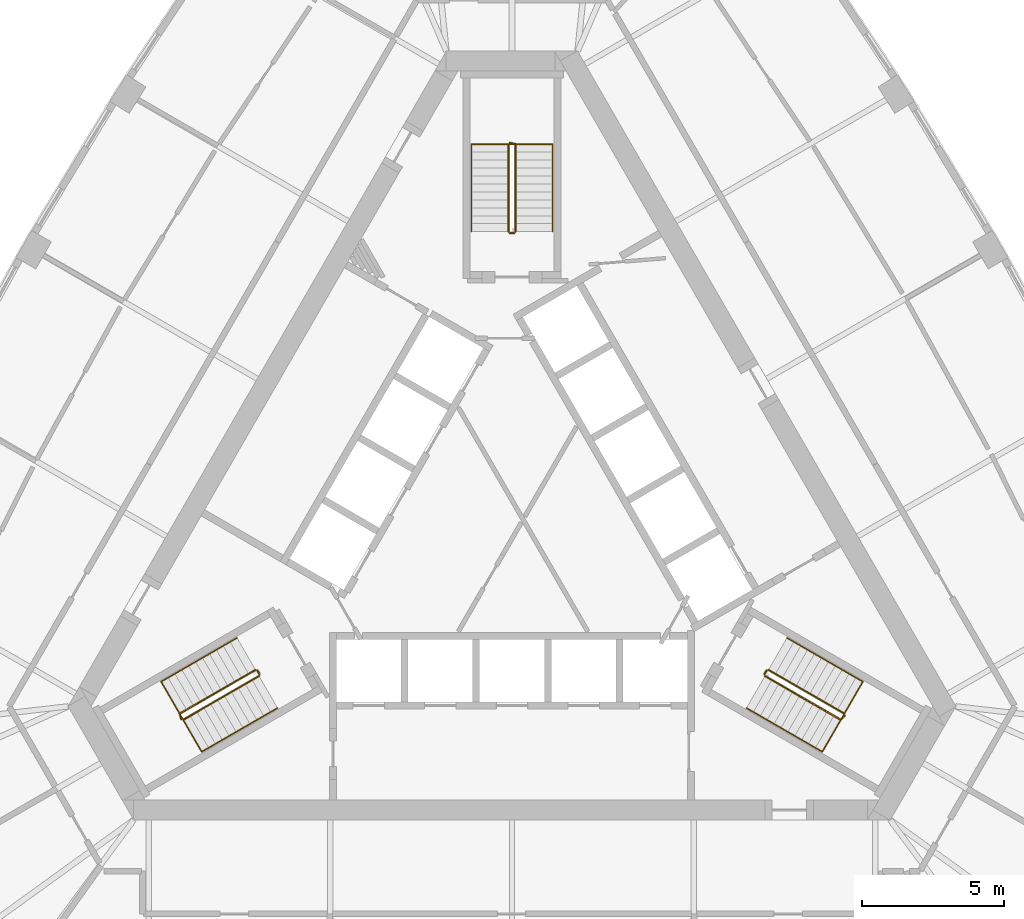
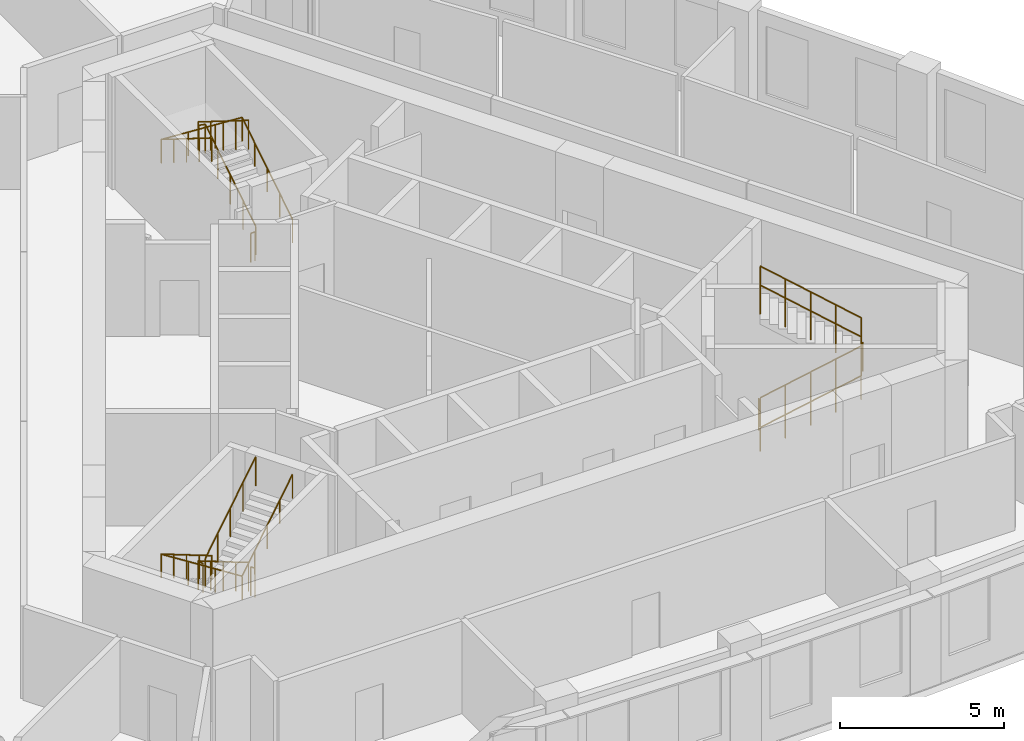
# One storey, part 11 of 11: 12 railings.
"""IFC4 building model written with IfcOpenShell, lengths in metres."""

from ifc_helpers import new_model, si_unit, direction, frame, origin, origin_2d, place, context, subcontext, project, spatial, circle, extrude, material, type_object, element, save


model = new_model("IFC4")

# Units and contexts
model_context = context("Model", 3, precision=1e-05, world=origin(), true_north=direction((0.0, 1.0)))
body_context = subcontext(model_context, "Body", "Model", "MODEL_VIEW")
ifc_project = project(units=[si_unit("LENGTHUNIT", "METRE"), si_unit("AREAUNIT", "SQUARE_METRE"), si_unit("VOLUMEUNIT", "CUBIC_METRE"), si_unit("PLANEANGLEUNIT", "RADIAN"), si_unit("MASSUNIT", "GRAM", prefix="KILO")], contexts=[model_context])

# Site, building, storey
site_placement = place(None, origin())
site = spatial("IfcSite", under=ifc_project, at=site_placement, CompositionType="ELEMENT")
building_placement = place(site_placement, origin())
building = spatial("IfcBuilding", under=site, at=building_placement, Name="Mestral Congress Tower", CompositionType="ELEMENT")
storey_placement = place(building_placement, frame((0.0, 0.0, 201.60009765625)))
storey = spatial("IfcBuildingStorey", under=building, at=storey_placement, Name="L47", CompositionType="ELEMENT", Elevation=201.60009765625)

# Railings
ifc_material_1 = material(Name="Steel balustrade", Category="steel")
railing_type_1 = type_object("IfcRailingType", Name="Stair guard 1100", PredefinedType="GUARDRAIL", material=ifc_material_1)
railing_1_placement = place(storey_placement, frame((8.90087890625, -5.283203125, 0.1748046875)))
element("IfcRailing", 1, at=railing_1_placement, inside=storey, type_object=railing_type_1, Name="L47 ST1 stair guard 1", PredefinedType="GUARDRAIL", context=body_context, shape_type="SweptSolid", body=[
    extrude(circle(Radius=0.02392578125, at=origin_2d()), frame((0.0, 0.0, 1.076171875), z_axis=(0.734364028329, -0.424015404183, 0.530019255228), x_axis=(0.500026652407, 0.866010015463, 0.0)), (0.0, 0.0, 1.0), 3.632080078125),
    extrude(circle(Radius=0.02392578125, at=origin_2d()), frame((2.667236328125, -1.5400390625, 3.0009765625), z_axis=(0.695164929852, 0.718850276695, 0.0), x_axis=(-0.718850276695, 0.695164929852, 0.0)), (0.0, 0.0, 1.0), 0.2060546875),
    extrude(circle(Radius=0.02099609375, at=origin_2d()), origin(), (0.0, 0.0, 1.0), 1.052001953125),
    extrude(circle(Radius=0.02099609375, at=origin_2d()), frame((0.666748046875, -0.385009765625, 0.481201171875)), (0.0, 0.0, 1.0), 1.052001953125),
    extrude(circle(Radius=0.02099609375, at=origin_2d()), frame((1.33349609375, -0.77001953125, 0.96240234375)), (0.0, 0.0, 1.0), 1.052001953125),
    extrude(circle(Radius=0.02099609375, at=origin_2d()), frame((2.00048828125, -1.155029296875, 1.44384765625)), (0.0, 0.0, 1.0), 1.052001953125),
    extrude(circle(Radius=0.02099609375, at=origin_2d()), frame((2.667236328125, -1.5400390625, 1.925048828125)), (0.0, 0.0, 1.0), 1.052001953125),
    extrude(circle(Radius=0.02099609375, at=origin_2d()), frame((2.810546875, -1.391845703125, 1.925048828125)), (0.0, 0.0, 1.0), 1.052001953125),
])
railing_2_placement = place(storey_placement, frame((11.693115234375, -6.606689453125, 2.27490234375)))
element("IfcRailing", 2, at=railing_2_placement, inside=storey, type_object=railing_type_1, Name="L47 ST1 stair guard 2", PredefinedType="GUARDRAIL", context=body_context, shape_type="SweptSolid", body=[
    extrude(circle(Radius=0.02392578125, at=origin_2d()), frame((0.0, 0.0, 1.076171875), z_axis=(-0.734364028329, 0.424015404183, 0.530019255228), x_axis=(-0.500026652407, -0.866010015463, 0.0)), (0.0, 0.0, 1.0), 3.632080078125),
    extrude(circle(Radius=0.02099609375, at=origin_2d()), origin(), (0.0, 0.0, 1.0), 1.052001953125),
    extrude(circle(Radius=0.02099609375, at=origin_2d()), frame((-0.666748046875, 0.385009765625, 0.481201171875)), (0.0, 0.0, 1.0), 1.052001953125),
    extrude(circle(Radius=0.02099609375, at=origin_2d()), frame((-1.33349609375, 0.77001953125, 0.96240234375)), (0.0, 0.0, 1.0), 1.052001953125),
    extrude(circle(Radius=0.02099609375, at=origin_2d()), frame((-2.00048828125, 1.155029296875, 1.44384765625)), (0.0, 0.0, 1.0), 1.052001953125),
    extrude(circle(Radius=0.02099609375, at=origin_2d()), frame((-2.667236328125, 1.5400390625, 1.925048828125)), (0.0, 0.0, 1.0), 1.052001953125),
])
railing_3_placement = place(storey_placement, frame((8.882568359375, -5.21484375, 0.0)))
element("IfcRailing", 3, at=railing_3_placement, inside=storey, type_object=railing_type_1, Name="L47 ST1 stair guard 3", PredefinedType="GUARDRAIL", context=body_context, shape_type="SweptSolid", body=[
    extrude(circle(Radius=0.02392578125, at=origin_2d()), frame((0.0, 0.0, 1.076171875), z_axis=(0.499816412211, 0.866131372301, 0.0), x_axis=(-0.866131372301, 0.499816412211, 0.0)), (0.0, 0.0, 1.0), 0.14990234375),
    extrude(circle(Radius=0.02099609375, at=origin_2d()), origin(), (0.0, 0.0, 1.0), 1.052001953125),
    extrude(circle(Radius=0.02099609375, at=origin_2d()), frame((0.074951171875, 0.1298828125, 0.0)), (0.0, 0.0, 1.0), 1.052001953125),
])
railing_4_placement = place(storey_placement, frame((0.125, 10.35009765625, 0.1748046875)))
element("IfcRailing", 4, at=railing_4_placement, inside=storey, type_object=railing_type_1, Name="L47 ST2 stair guard 1", PredefinedType="GUARDRAIL", context=body_context, shape_type="SweptSolid", body=[
    extrude(circle(Radius=0.02392578125, at=origin_2d()), frame((0.0, 0.0, 1.076171875), z_axis=(0.0, 0.847979421464, 0.530029150871), x_axis=(-1.0, 0.0, 0.0)), (0.0, 0.0, 1.0), 3.632080078125),
    extrude(circle(Radius=0.02392578125, at=origin_2d()), frame((0.0, 3.079833984375, 3.0009765625), z_axis=(-0.970072785993, 0.242814311512, 0.0), x_axis=(-0.242814311512, -0.970072785993, 0.0)), (0.0, 0.0, 1.0), 0.2060546875),
    extrude(circle(Radius=0.02099609375, at=origin_2d()), origin(), (0.0, 0.0, 1.0), 1.052001953125),
    extrude(circle(Radius=0.02099609375, at=origin_2d()), frame((0.0, 0.77001953125, 0.481201171875)), (0.0, 0.0, 1.0), 1.052001953125),
    extrude(circle(Radius=0.02099609375, at=origin_2d()), frame((0.0, 1.5400390625, 0.96240234375)), (0.0, 0.0, 1.0), 1.052001953125),
    extrude(circle(Radius=0.02099609375, at=origin_2d()), frame((0.0, 2.309814453125, 1.44384765625)), (0.0, 0.0, 1.0), 1.052001953125),
    extrude(circle(Radius=0.02099609375, at=origin_2d()), frame((0.0, 3.079833984375, 1.925048828125)), (0.0, 0.0, 1.0), 1.052001953125),
    extrude(circle(Radius=0.02099609375, at=origin_2d()), frame((-0.199951171875, 3.1298828125, 1.925048828125)), (0.0, 0.0, 1.0), 1.052001953125),
])
railing_5_placement = place(storey_placement, frame((-0.125, 13.429931640625, 2.27490234375)))
element("IfcRailing", 5, at=railing_5_placement, inside=storey, type_object=railing_type_1, Name="L47 ST2 stair guard 2", PredefinedType="GUARDRAIL", context=body_context, shape_type="SweptSolid", body=[
    extrude(circle(Radius=0.02392578125, at=origin_2d()), frame((0.0, 0.0, 1.076171875), z_axis=(0.0, -0.847979421464, 0.530029150871), x_axis=(1.0, 0.0, 0.0)), (0.0, 0.0, 1.0), 3.632080078125),
    extrude(circle(Radius=0.02099609375, at=origin_2d()), origin(), (0.0, 0.0, 1.0), 1.052001953125),
    extrude(circle(Radius=0.02099609375, at=origin_2d()), frame((0.0, -0.77001953125, 0.481201171875)), (0.0, 0.0, 1.0), 1.052001953125),
    extrude(circle(Radius=0.02099609375, at=origin_2d()), frame((0.0, -1.5400390625, 0.96240234375)), (0.0, 0.0, 1.0), 1.052001953125),
    extrude(circle(Radius=0.02099609375, at=origin_2d()), frame((0.0, -2.309814453125, 1.44384765625)), (0.0, 0.0, 1.0), 1.052001953125),
    extrude(circle(Radius=0.02099609375, at=origin_2d()), frame((0.0, -3.079833984375, 1.925048828125)), (0.0, 0.0, 1.0), 1.052001953125),
])
railing_6_placement = place(storey_placement, frame((0.074951171875, 10.300048828125, 0.0)))
element("IfcRailing", 6, at=railing_6_placement, inside=storey, type_object=railing_type_1, Name="L47 ST2 stair guard 3", PredefinedType="GUARDRAIL", context=body_context, shape_type="SweptSolid", body=[
    extrude(circle(Radius=0.02392578125, at=origin_2d()), frame((0.0, 0.0, 1.076171875), z_axis=(-1.0, 0.0, 0.0), x_axis=(0.0, -1.0, 0.0)), (0.0, 0.0, 1.0), 0.14990234375),
    extrude(circle(Radius=0.02099609375, at=origin_2d()), origin(), (0.0, 0.0, 1.0), 1.052001953125),
    extrude(circle(Radius=0.02099609375, at=origin_2d()), frame((-0.14990234375, 0.0, 0.0)), (0.0, 0.0, 1.0), 1.052001953125),
])
railing_7_placement = place(storey_placement, frame((-9.02587890625, -5.066650390625, 0.1748046875)))
element("IfcRailing", 7, at=railing_7_placement, inside=storey, type_object=railing_type_1, Name="L47 ST3 stair guard 1", PredefinedType="GUARDRAIL", context=body_context, shape_type="SweptSolid", body=[
    extrude(circle(Radius=0.02392578125, at=origin_2d()), frame((0.0, 0.0, 1.076171875), z_axis=(-0.734364028329, -0.424015404183, 0.530019255228), x_axis=(0.500026652407, -0.866010015463, 0.0)), (0.0, 0.0, 1.0), 3.632080078125),
    extrude(circle(Radius=0.02392578125, at=origin_2d()), frame((-2.667236328125, -1.5400390625, 3.0009765625), z_axis=(0.274721127897, -0.961523947641, 0.0), x_axis=(0.961523947641, 0.274721127897, 0.0)), (0.0, 0.0, 1.0), 0.2060546875),
    extrude(circle(Radius=0.02099609375, at=origin_2d()), origin(), (0.0, 0.0, 1.0), 1.052001953125),
    extrude(circle(Radius=0.02099609375, at=origin_2d()), frame((-0.666748046875, -0.385009765625, 0.481201171875)), (0.0, 0.0, 1.0), 1.052001953125),
    extrude(circle(Radius=0.02099609375, at=origin_2d()), frame((-1.33349609375, -0.77001953125, 0.96240234375)), (0.0, 0.0, 1.0), 1.052001953125),
    extrude(circle(Radius=0.02099609375, at=origin_2d()), frame((-2.00048828125, -1.155029296875, 1.44384765625)), (0.0, 0.0, 1.0), 1.052001953125),
    extrude(circle(Radius=0.02099609375, at=origin_2d()), frame((-2.667236328125, -1.5400390625, 1.925048828125)), (0.0, 0.0, 1.0), 1.052001953125),
    extrude(circle(Radius=0.02099609375, at=origin_2d()), frame((-2.610595703125, -1.73828125, 1.925048828125)), (0.0, 0.0, 1.0), 1.052001953125),
])
railing_8_placement = place(storey_placement, frame((-11.568115234375, -6.8232421875, 2.27490234375)))
element("IfcRailing", 8, at=railing_8_placement, inside=storey, type_object=railing_type_1, Name="L47 ST3 stair guard 2", PredefinedType="GUARDRAIL", context=body_context, shape_type="SweptSolid", body=[
    extrude(circle(Radius=0.02392578125, at=origin_2d()), frame((0.0, 0.0, 1.076171875), z_axis=(0.734364028329, 0.424015404183, 0.530019255228), x_axis=(-0.500026652407, 0.866010015463, 0.0)), (0.0, 0.0, 1.0), 3.632080078125),
    extrude(circle(Radius=0.02099609375, at=origin_2d()), origin(), (0.0, 0.0, 1.0), 1.052001953125),
    extrude(circle(Radius=0.02099609375, at=origin_2d()), frame((0.666748046875, 0.385009765625, 0.481201171875)), (0.0, 0.0, 1.0), 1.052001953125),
    extrude(circle(Radius=0.02099609375, at=origin_2d()), frame((1.33349609375, 0.77001953125, 0.96240234375)), (0.0, 0.0, 1.0), 1.052001953125),
    extrude(circle(Radius=0.02099609375, at=origin_2d()), frame((2.00048828125, 1.155029296875, 1.44384765625)), (0.0, 0.0, 1.0), 1.052001953125),
    extrude(circle(Radius=0.02099609375, at=origin_2d()), frame((2.667236328125, 1.5400390625, 1.925048828125)), (0.0, 0.0, 1.0), 1.052001953125),
])
railing_9_placement = place(storey_placement, frame((-8.95751953125, -5.0849609375, 0.0)))
element("IfcRailing", 9, at=railing_9_placement, inside=storey, type_object=railing_type_1, Name="L47 ST3 stair guard 3", PredefinedType="GUARDRAIL", context=body_context, shape_type="SweptSolid", body=[
    extrude(circle(Radius=0.02392578125, at=origin_2d()), frame((0.0, 0.0, 1.076171875), z_axis=(0.499816412211, -0.866131372301, 0.0), x_axis=(0.866131372301, 0.499816412211, 0.0)), (0.0, 0.0, 1.0), 0.14990234375),
    extrude(circle(Radius=0.02099609375, at=origin_2d()), origin(), (0.0, 0.0, 1.0), 1.052001953125),
    extrude(circle(Radius=0.02099609375, at=origin_2d()), frame((0.074951171875, -0.1298828125, 0.0)), (0.0, 0.0, 1.0), 1.052001953125),
])
ifc_material_2 = material(Name="Steel handrail", Category="steel")
railing_type_2 = type_object("IfcRailingType", Name="Stair handrail 900", PredefinedType="HANDRAIL", material=ifc_material_2)
railing_10_placement = place(storey_placement, frame((8.2509765625, -6.4091796875, 0.1748046875)))
element("IfcRailing", 10, at=railing_10_placement, inside=storey, type_object=railing_type_2, Name="L47 ST1 stair handrail 1", PredefinedType="HANDRAIL", context=body_context, shape_type="SweptSolid", body=[
    extrude(circle(Radius=0.02392578125, at=origin_2d()), frame((0.0, 0.0, 0.8759765625), z_axis=(0.734384958227, -0.423960268333, 0.530034361155), x_axis=(0.499967199496, 0.866044340336, 0.0)), (0.0, 0.0, 1.0), 3.6318359375),
    extrude(circle(Radius=0.02392578125, at=origin_2d()), frame((2.667236328125, -1.539794921875, 2.80078125), z_axis=(0.499095769026, 0.864375386171, 0.061307463833), x_axis=(-0.866004402611, 0.500036373335, 0.0)), (0.0, 0.0, 1.0), 2.855224609375),
    extrude(circle(Radius=0.02392578125, at=origin_2d()), frame((4.09228515625, 0.92822265625, 2.97607421875), z_axis=(-0.734394994316, 0.423994474112, 0.52999309264), x_axis=(-0.499992328818, -0.866029832698, 0.0)), (0.0, 0.0, 1.0), 3.63232421875),
    extrude(circle(Radius=0.02099609375, at=origin_2d()), origin(), (0.0, 0.0, 1.0), 0.851806640625),
    extrude(circle(Radius=0.02099609375, at=origin_2d()), frame((0.666748046875, -0.385009765625, 0.481201171875)), (0.0, 0.0, 1.0), 0.851806640625),
    extrude(circle(Radius=0.02099609375, at=origin_2d()), frame((1.33349609375, -0.77001953125, 0.96240234375)), (0.0, 0.0, 1.0), 0.851806640625),
    extrude(circle(Radius=0.02099609375, at=origin_2d()), frame((2.00048828125, -1.15478515625, 1.44384765625)), (0.0, 0.0, 1.0), 0.851806640625),
    extrude(circle(Radius=0.02099609375, at=origin_2d()), frame((2.667236328125, -1.539794921875, 1.925048828125)), (0.0, 0.0, 1.0), 0.851806640625),
    extrude(circle(Radius=0.02099609375, at=origin_2d()), frame((3.142333984375, -0.717041015625, 1.9833984375)), (0.0, 0.0, 1.0), 0.851806640625),
    extrude(circle(Radius=0.02099609375, at=origin_2d()), frame((3.6171875, 0.10546875, 2.041748046875)), (0.0, 0.0, 1.0), 0.851806640625),
    extrude(circle(Radius=0.02099609375, at=origin_2d()), frame((4.09228515625, 0.92822265625, 2.10009765625)), (0.0, 0.0, 1.0), 0.851806640625),
    extrude(circle(Radius=0.02099609375, at=origin_2d()), frame((3.42529296875, 1.313232421875, 2.581298828125)), (0.0, 0.0, 1.0), 0.851806640625),
    extrude(circle(Radius=0.02099609375, at=origin_2d()), frame((2.758544921875, 1.6982421875, 3.0625)), (0.0, 0.0, 1.0), 0.851806640625),
    extrude(circle(Radius=0.02099609375, at=origin_2d()), frame((2.091796875, 2.083251953125, 3.5439453125)), (0.0, 0.0, 1.0), 0.851806640625),
    extrude(circle(Radius=0.02099609375, at=origin_2d()), frame((1.4248046875, 2.46826171875, 4.025146484375)), (0.0, 0.0, 1.0), 0.851806640625),
])
railing_11_placement = place(storey_placement, frame((1.425048828125, 10.35009765625, 0.1748046875)))
element("IfcRailing", 11, at=railing_11_placement, inside=storey, type_object=railing_type_2, Name="L47 ST2 stair handrail 1", PredefinedType="HANDRAIL", context=body_context, shape_type="SweptSolid", body=[
    extrude(circle(Radius=0.02392578125, at=origin_2d()), frame((0.0, 0.0, 0.8759765625), z_axis=(0.0, 0.847979421464, 0.530029150871), x_axis=(-1.0, 0.0, 0.0)), (0.0, 0.0, 1.0), 3.632080078125),
    extrude(circle(Radius=0.02392578125, at=origin_2d()), frame((0.0, 3.079833984375, 2.80078125), z_axis=(-0.998119201106, 0.0, 0.061303021003), x_axis=(0.0, -1.0, 0.0)), (0.0, 0.0, 1.0), 2.85546875),
    extrude(circle(Radius=0.02392578125, at=origin_2d()), frame((-2.85009765625, 3.079833984375, 2.97607421875), z_axis=(0.0, -0.847979421464, 0.530029150871), x_axis=(1.0, 0.0, 0.0)), (0.0, 0.0, 1.0), 3.632080078125),
    extrude(circle(Radius=0.02099609375, at=origin_2d()), origin(), (0.0, 0.0, 1.0), 0.851806640625),
    extrude(circle(Radius=0.02099609375, at=origin_2d()), frame((0.0, 0.77001953125, 0.481201171875)), (0.0, 0.0, 1.0), 0.851806640625),
    extrude(circle(Radius=0.02099609375, at=origin_2d()), frame((0.0, 1.5400390625, 0.96240234375)), (0.0, 0.0, 1.0), 0.851806640625),
    extrude(circle(Radius=0.02099609375, at=origin_2d()), frame((0.0, 2.309814453125, 1.44384765625)), (0.0, 0.0, 1.0), 0.851806640625),
    extrude(circle(Radius=0.02099609375, at=origin_2d()), frame((0.0, 3.079833984375, 1.925048828125)), (0.0, 0.0, 1.0), 0.851806640625),
    extrude(circle(Radius=0.02099609375, at=origin_2d()), frame((-0.949951171875, 3.079833984375, 1.9833984375)), (0.0, 0.0, 1.0), 0.851806640625),
    extrude(circle(Radius=0.02099609375, at=origin_2d()), frame((-1.900146484375, 3.079833984375, 2.041748046875)), (0.0, 0.0, 1.0), 0.851806640625),
    extrude(circle(Radius=0.02099609375, at=origin_2d()), frame((-2.85009765625, 3.079833984375, 2.10009765625)), (0.0, 0.0, 1.0), 0.851806640625),
    extrude(circle(Radius=0.02099609375, at=origin_2d()), frame((-2.85009765625, 2.309814453125, 2.581298828125)), (0.0, 0.0, 1.0), 0.851806640625),
    extrude(circle(Radius=0.02099609375, at=origin_2d()), frame((-2.85009765625, 1.5400390625, 3.0625)), (0.0, 0.0, 1.0), 0.851806640625),
    extrude(circle(Radius=0.02099609375, at=origin_2d()), frame((-2.85009765625, 0.77001953125, 3.5439453125)), (0.0, 0.0, 1.0), 0.851806640625),
    extrude(circle(Radius=0.02099609375, at=origin_2d()), frame((-2.85009765625, 0.0, 4.025146484375)), (0.0, 0.0, 1.0), 0.851806640625),
])
railing_12_placement = place(storey_placement, frame((-9.67578125, -3.94091796875, 0.1748046875)))
element("IfcRailing", 12, at=railing_12_placement, inside=storey, type_object=railing_type_2, Name="L47 ST3 stair handrail 1", PredefinedType="HANDRAIL", context=body_context, shape_type="SweptSolid", body=[
    extrude(circle(Radius=0.02392578125, at=origin_2d()), frame((0.0, 0.0, 0.8759765625), z_axis=(-0.734394994316, -0.423994474112, 0.52999309264), x_axis=(0.499992328818, -0.866029832698, 0.0)), (0.0, 0.0, 1.0), 3.63232421875),
    extrude(circle(Radius=0.02392578125, at=origin_2d()), frame((-2.66748046875, -1.5400390625, 2.80078125), z_axis=(0.499095769026, -0.864375386171, 0.061307463833), x_axis=(0.866004402611, 0.500036373335, 0.0)), (0.0, 0.0, 1.0), 2.855224609375),
    extrude(circle(Radius=0.02392578125, at=origin_2d()), frame((-1.242431640625, -4.008056640625, 2.97607421875), z_axis=(0.734384958227, 0.423960268333, 0.530034361155), x_axis=(-0.499967199496, 0.866044340336, 0.0)), (0.0, 0.0, 1.0), 3.6318359375),
    extrude(circle(Radius=0.02099609375, at=origin_2d()), origin(), (0.0, 0.0, 1.0), 0.851806640625),
    extrude(circle(Radius=0.02099609375, at=origin_2d()), frame((-0.6669921875, -0.385009765625, 0.481201171875)), (0.0, 0.0, 1.0), 0.851806640625),
    extrude(circle(Radius=0.02099609375, at=origin_2d()), frame((-1.333740234375, -0.77001953125, 0.96240234375)), (0.0, 0.0, 1.0), 0.851806640625),
    extrude(circle(Radius=0.02099609375, at=origin_2d()), frame((-2.00048828125, -1.155029296875, 1.44384765625)), (0.0, 0.0, 1.0), 0.851806640625),
    extrude(circle(Radius=0.02099609375, at=origin_2d()), frame((-2.66748046875, -1.5400390625, 1.925048828125)), (0.0, 0.0, 1.0), 0.851806640625),
    extrude(circle(Radius=0.02099609375, at=origin_2d()), frame((-2.1923828125, -2.36279296875, 1.9833984375)), (0.0, 0.0, 1.0), 0.851806640625),
    extrude(circle(Radius=0.02099609375, at=origin_2d()), frame((-1.717529296875, -3.185302734375, 2.041748046875)), (0.0, 0.0, 1.0), 0.851806640625),
    extrude(circle(Radius=0.02099609375, at=origin_2d()), frame((-1.242431640625, -4.008056640625, 2.10009765625)), (0.0, 0.0, 1.0), 0.851806640625),
    extrude(circle(Radius=0.02099609375, at=origin_2d()), frame((-0.57568359375, -3.623046875, 2.581298828125)), (0.0, 0.0, 1.0), 0.851806640625),
    extrude(circle(Radius=0.02099609375, at=origin_2d()), frame((0.09130859375, -3.23828125, 3.0625)), (0.0, 0.0, 1.0), 0.851806640625),
    extrude(circle(Radius=0.02099609375, at=origin_2d()), frame((0.758056640625, -2.853271484375, 3.5439453125)), (0.0, 0.0, 1.0), 0.851806640625),
    extrude(circle(Radius=0.02099609375, at=origin_2d()), frame((1.4248046875, -2.46826171875, 4.025146484375)), (0.0, 0.0, 1.0), 0.851806640625),
])

save(model, "model.ifc")
